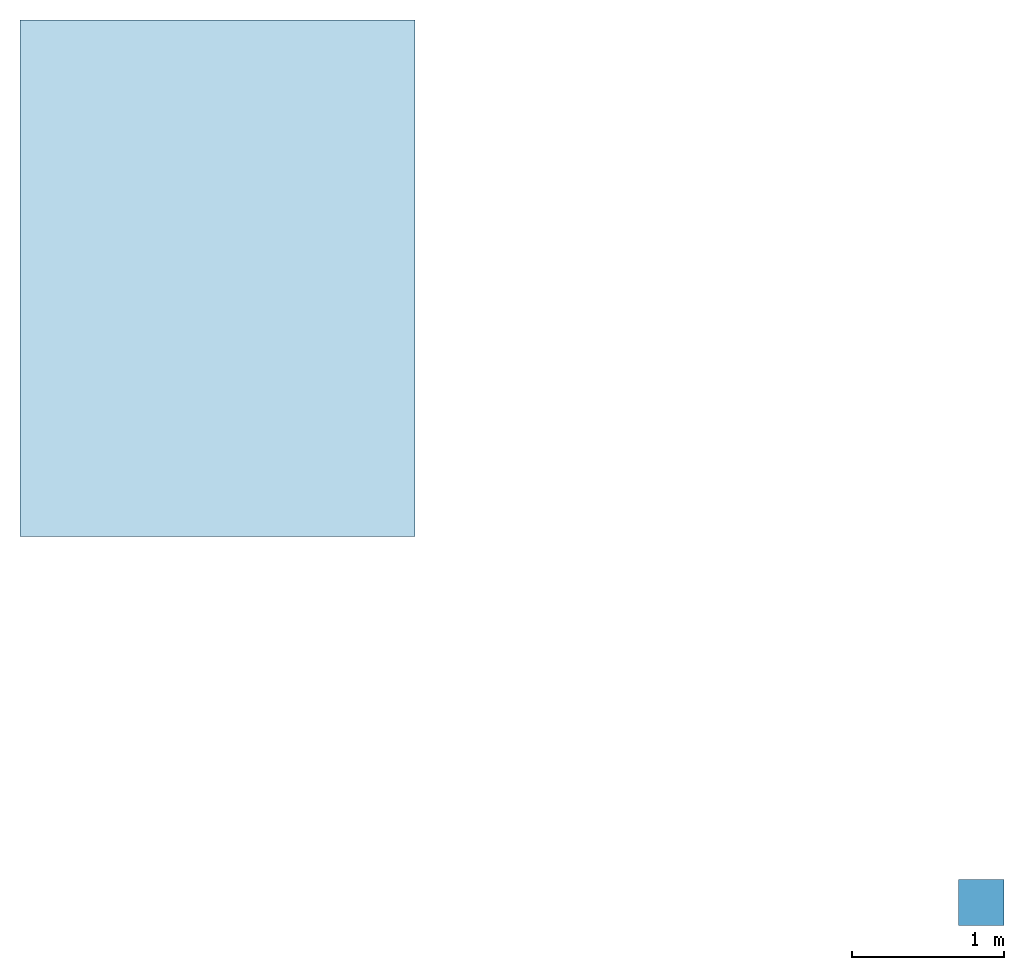
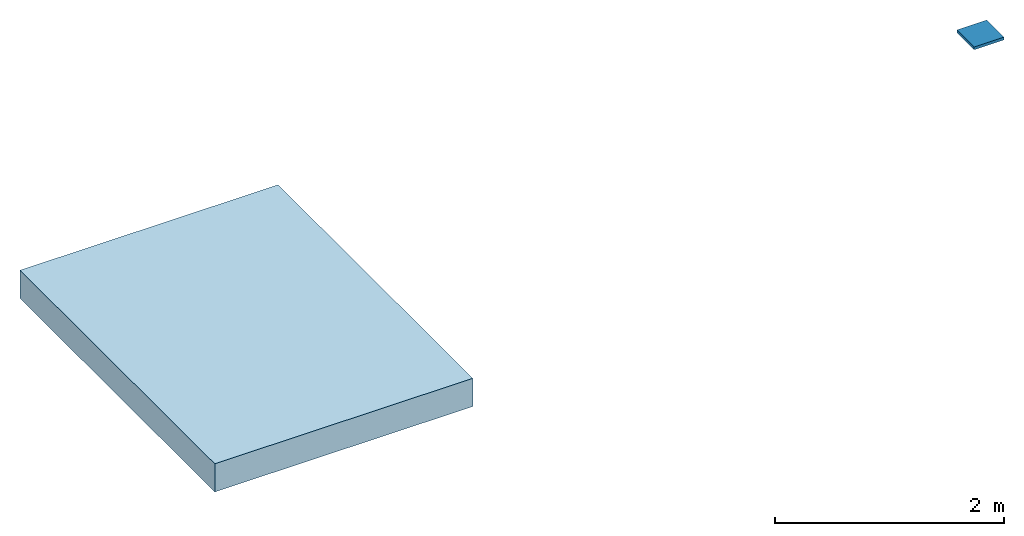
# One storey: 1 discrete accessory, 1 slab.
"""IFC4 building model written with IfcOpenShell, lengths in metres."""

from ifc_helpers import new_model, si_unit, direction, frame, origin, origin_2d, place, context, subcontext, project, spatial, polyline, rectangle, outline, extrude, material, layer, layer_set, type_object, element, save


model = new_model("IFC4")

# Units and contexts
model_context = context("Model", 3, precision=1e-05, world=origin(), true_north=direction((0.0, 1.0)))
body_context = subcontext(model_context, "Body", "Model", "MODEL_VIEW")
ifc_project = project(units=[si_unit("LENGTHUNIT", "METRE"), si_unit("AREAUNIT", "SQUARE_METRE"), si_unit("VOLUMEUNIT", "CUBIC_METRE"), si_unit("PLANEANGLEUNIT", "RADIAN"), si_unit("MASSUNIT", "GRAM", prefix="KILO")], contexts=[model_context])

# Site, building, storey
site_placement = place(None, origin())
site = spatial("IfcSite", under=ifc_project, at=site_placement, CompositionType="ELEMENT")
building_placement = place(site_placement, origin())
building = spatial("IfcBuilding", under=site, at=building_placement, Name="Tuul Gate Civic Tower", CompositionType="ELEMENT")
storey_placement = place(building_placement, frame((0.0, 0.0, 389.60009765625)))
storey = spatial("IfcBuildingStorey", under=building, at=storey_placement, Name="Upper Roof 2", CompositionType="ELEMENT", Elevation=389.60009765625)

# Slab
ifc_material_1 = material(Name="Concrete C40/50", Category="concrete")
ifc_layer = layer(ifc_material_1, 0.300048828125)
ifc_layer_set = layer_set([ifc_layer], Name="Concrete C40/50")
slab_type = type_object("IfcSlabType", Name="Core roof slab", PredefinedType="ROOF", material=ifc_layer_set)
slab_placement = place(storey_placement, frame((0.0, 0.0, -0.300048828125)))
element("IfcSlab", 1, at=slab_placement, inside=storey, type_object=slab_type, Name="ROOF SLAB", PredefinedType="ROOF", context=body_context, shape_type="SweptSolid", body=[
    extrude(outline(polyline([(10.60009765625, -0.300048828125), (10.60009765625, 3.10009765625), (8.0, 3.10009765625), (8.0, -0.300048828125), (10.60009765625, -0.300048828125)])), origin(), (0.0, 0.0, 1.0), 0.300048828125),
])

# Discrete accessory
ifc_material_2 = material(Name="Steel S355", Category="steel")
discrete_accessory_type = type_object("IfcDiscreteAccessoryType", Name="End cap plate", PredefinedType="BRACKET", material=ifc_material_2)
discrete_accessory_placement = place(storey_placement, frame((14.325927734375, -2.7080078125, 3.7998046875), z_axis=(0.0, 0.0, 1.0), x_axis=(1.0, 0.0, 0.0)))
element("IfcDiscreteAccessory", 2, at=discrete_accessory_placement, inside=storey, type_object=discrete_accessory_type, Name="End cap plate", PredefinedType="BRACKET", context=body_context, shape_type="SweptSolid", body=[
    extrude(rectangle(XDim=0.300048828125, YDim=0.300048828125, at=origin_2d()), origin(), (0.0, 0.0, 1.0), 0.030029296875),
])

save(model, "model.ifc")
